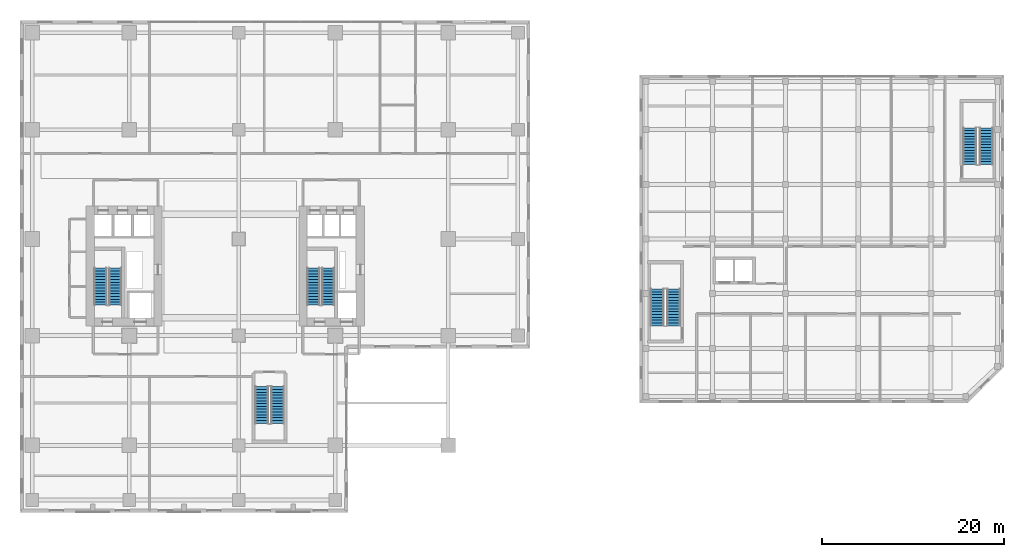
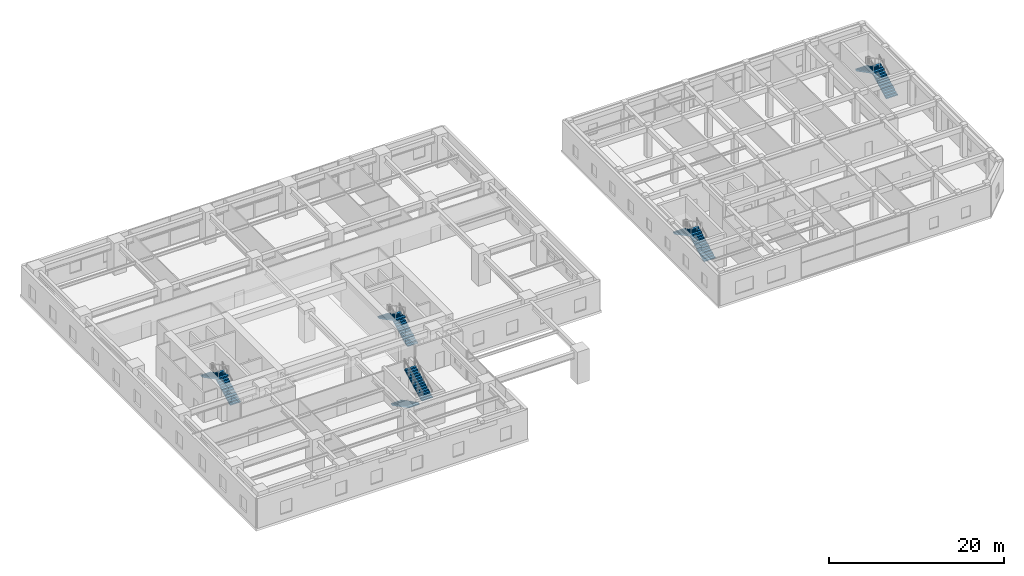
# One storey, part 23 of 28: 10 stair flights, 5 elements without a shape of their own.
"""IFC4 building model written with IfcOpenShell, lengths in metres."""

from ifc_helpers import new_model, si_unit, direction, frame, origin, place, context, subcontext, project, spatial, polyline, outline, extrude, source, transform, mapped, material, type_object, element, aggregate, save


model = new_model("IFC4")

# Units and contexts
model_context = context("Model", 3, precision=1e-05, world=origin(), true_north=direction((0.0, 1.0)))
body_context = subcontext(model_context, "Body", "Model", "MODEL_VIEW")
ifc_project = project(units=[si_unit("LENGTHUNIT", "METRE"), si_unit("AREAUNIT", "SQUARE_METRE"), si_unit("VOLUMEUNIT", "CUBIC_METRE"), si_unit("PLANEANGLEUNIT", "RADIAN"), si_unit("MASSUNIT", "GRAM", prefix="KILO")], contexts=[model_context])

# Site, building, storey
site_placement = place(None, origin())
site = spatial("IfcSite", under=ifc_project, at=site_placement, CompositionType="ELEMENT")
building_placement = place(site_placement, origin())
building = spatial("IfcBuilding", under=site, at=building_placement, Name="Khoralis Quay Care Tower", CompositionType="ELEMENT")
storey_placement = place(building_placement, frame((0.0, 0.0, 9.0)))
storey = spatial("IfcBuildingStorey", under=building, at=storey_placement, Name="L02", CompositionType="ELEMENT", Elevation=9.0)

# Stair, stair flights
ifc_material = material(Name="Precast concrete C45/55", Category="concrete")
stair_type_1 = type_object("IfcStairType", Name="ST-TWR-DOGLEG-1400", PredefinedType="HALF_TURN_STAIR", material=ifc_material)
stair_1_placement = place(storey_placement, origin())
stair_1 = element("IfcStair", 1, at=stair_1_placement, inside=storey, type_object=stair_type_1, Name="L02 West Core Exit Stair ST-T1", PredefinedType="HALF_TURN_STAIR")
stair_flight_type_1 = type_object("IfcStairFlightType", Name="SF-TWR-1400", PredefinedType="STRAIGHT", material=ifc_material)
shared_shape_1 = source(origin(), body_context, "Body", "SweptSolid", [
    extrude(outline(polyline([(0.0, 0.0), (0.0, 0.16064453125), (0.31005859375, 0.16064453125), (0.31005859375, 0.321533203125), (0.6201171875, 0.321533203125), (0.6201171875, 0.482177734375), (0.929931640625, 0.482177734375), (0.929931640625, 0.642822265625), (1.239990234375, 0.642822265625), (1.239990234375, 0.803466796875), (1.550048828125, 0.803466796875), (1.550048828125, 0.96435546875), (1.860107421875, 0.96435546875), (1.860107421875, 1.125), (2.169921875, 1.125), (2.169921875, 1.28564453125), (2.47998046875, 1.28564453125), (2.47998046875, 1.446533203125), (2.7900390625, 1.446533203125), (2.7900390625, 1.607177734375), (3.10009765625, 1.607177734375), (3.10009765625, 1.767822265625), (3.409912109375, 1.767822265625), (3.409912109375, 1.928466796875), (3.719970703125, 1.928466796875), (3.719970703125, 2.08935546875), (4.030029296875, 2.08935546875), (4.030029296875, 2.25), (4.030029296875, 1.92041015625), (0.32568359375, 0.0), (0.0, 0.0)])), frame((0.0, 0.68994140625, 0.0), z_axis=(0.0, -1.0, 0.0), x_axis=(1.0, 0.0, 0.0)), (0.0, 0.0, 1.0), 1.3798828125),
])
stair_flight_1_placement = place(storey_placement, frame((10.4599609375, 16.77001953125, 0.0), z_axis=(0.0, 0.0, 1.0), x_axis=(0.0, 1.0, 0.0)))
stair_flight_1 = element("IfcStairFlight", 2, at=stair_flight_1_placement, type_object=stair_flight_type_1, Name="ST-T1 flight 1", NumberOfRisers=14, NumberOfTreads=13, PredefinedType="STRAIGHT", RiserHeight=0.160714286, TreadLength=0.31, context=body_context, shape_type="MappedRepresentation", body=[
    mapped(shared_shape_1, transform((0.0, 0.0, 0.0), scale=1.0)),
])
stair_flight_2_placement = place(storey_placement, frame((8.840087890625, 20.800048828125, 2.25), z_axis=(0.0, 0.0, 1.0), x_axis=(0.0, -1.0, 0.0)))
stair_flight_2 = element("IfcStairFlight", 3, at=stair_flight_2_placement, type_object=stair_flight_type_1, Name="ST-T1 flight 2", NumberOfRisers=14, NumberOfTreads=13, PredefinedType="STRAIGHT", RiserHeight=0.160714286, TreadLength=0.31, context=body_context, shape_type="MappedRepresentation", body=[
    mapped(shared_shape_1, transform((0.0, 0.0, 0.0), scale=1.0)),
])
aggregate(stair_1, [stair_flight_1, stair_flight_2])

stair_2_placement = place(storey_placement, origin())
stair_2 = element("IfcStair", 4, at=stair_2_placement, inside=storey, type_object=stair_type_1, Name="L02 East Core Exit Stair ST-T2", PredefinedType="HALF_TURN_STAIR")
stair_flight_3_placement = place(storey_placement, frame((33.830078125, 16.77001953125, 0.0), z_axis=(0.0, 0.0, 1.0), x_axis=(0.0, 1.0, 0.0)))
stair_flight_3 = element("IfcStairFlight", 5, at=stair_flight_3_placement, type_object=stair_flight_type_1, Name="ST-T2 flight 1", NumberOfRisers=14, NumberOfTreads=13, PredefinedType="STRAIGHT", RiserHeight=0.160714286, TreadLength=0.31, context=body_context, shape_type="MappedRepresentation", body=[
    mapped(shared_shape_1, transform((0.0, 0.0, 0.0), scale=1.0)),
])
stair_flight_4_placement = place(storey_placement, frame((32.2099609375, 20.800048828125, 2.25), z_axis=(0.0, 0.0, 1.0), x_axis=(0.0, -1.0, 0.0)))
stair_flight_4 = element("IfcStairFlight", 6, at=stair_flight_4_placement, type_object=stair_flight_type_1, Name="ST-T2 flight 2", NumberOfRisers=14, NumberOfTreads=13, PredefinedType="STRAIGHT", RiserHeight=0.160714286, TreadLength=0.31, context=body_context, shape_type="MappedRepresentation", body=[
    mapped(shared_shape_1, transform((0.0, 0.0, 0.0), scale=1.0)),
])
aggregate(stair_2, [stair_flight_3, stair_flight_4])

stair_type_2 = type_object("IfcStairType", Name="ST-POD-DOGLEG-1500", PredefinedType="HALF_TURN_STAIR", material=ifc_material)
stair_3_placement = place(storey_placement, origin())
stair_3 = element("IfcStair", 7, at=stair_3_placement, inside=storey, type_object=stair_type_2, Name="L02 Podium Clinical Stair ST-P1", PredefinedType="HALF_TURN_STAIR")
stair_flight_type_2 = type_object("IfcStairFlightType", Name="SF-POD-1500", PredefinedType="STRAIGHT", material=ifc_material)
shared_shape_2 = source(origin(), body_context, "Body", "SweptSolid", [
    extrude(outline(polyline([(0.0, 0.0), (0.0, 0.16064453125), (0.31005859375, 0.16064453125), (0.31005859375, 0.321533203125), (0.6201171875, 0.321533203125), (0.6201171875, 0.482177734375), (0.929931640625, 0.482177734375), (0.929931640625, 0.642822265625), (1.239990234375, 0.642822265625), (1.239990234375, 0.803466796875), (1.550048828125, 0.803466796875), (1.550048828125, 0.96435546875), (1.860107421875, 0.96435546875), (1.860107421875, 1.125), (2.169921875, 1.125), (2.169921875, 1.28564453125), (2.47998046875, 1.28564453125), (2.47998046875, 1.446533203125), (2.7900390625, 1.446533203125), (2.7900390625, 1.607177734375), (3.10009765625, 1.607177734375), (3.10009765625, 1.767822265625), (3.409912109375, 1.767822265625), (3.409912109375, 1.928466796875), (3.719970703125, 1.928466796875), (3.719970703125, 2.08935546875), (4.030029296875, 2.08935546875), (4.030029296875, 2.25), (4.030029296875, 1.92041015625), (0.32568359375, 0.0), (0.0, 0.0)])), frame((0.0, 0.72509765625, 0.0), z_axis=(0.0, -1.0, 0.0), x_axis=(1.0, 0.0, 0.0)), (0.0, 0.0, 1.0), 1.449951171875),
])
stair_flight_5_placement = place(storey_placement, frame((26.52490234375, 7.800048828125, 0.0), z_axis=(0.0, 0.0, 1.0), x_axis=(0.0, -1.0, 0.0)))
stair_flight_5 = element("IfcStairFlight", 8, at=stair_flight_5_placement, type_object=stair_flight_type_2, Name="ST-P1 flight 1", NumberOfRisers=14, NumberOfTreads=13, PredefinedType="STRAIGHT", RiserHeight=0.160714286, TreadLength=0.31, context=body_context, shape_type="MappedRepresentation", body=[
    mapped(shared_shape_2, transform((0.0, 0.0, 0.0), scale=1.0)),
])
stair_flight_6_placement = place(storey_placement, frame((28.27490234375, 3.77001953125, 2.25), z_axis=(0.0, 0.0, 1.0), x_axis=(0.0, 1.0, 0.0)))
stair_flight_6 = element("IfcStairFlight", 9, at=stair_flight_6_placement, type_object=stair_flight_type_2, Name="ST-P1 flight 2", NumberOfRisers=14, NumberOfTreads=13, PredefinedType="STRAIGHT", RiserHeight=0.160714286, TreadLength=0.31, context=body_context, shape_type="MappedRepresentation", body=[
    mapped(shared_shape_2, transform((0.0, 0.0, 0.0), scale=1.0)),
])
aggregate(stair_3, [stair_flight_5, stair_flight_6])

stair_type_3 = type_object("IfcStairType", Name="ST-SCH-DOGLEG-1550", PredefinedType="HALF_TURN_STAIR", material=ifc_material)
stair_4_placement = place(storey_placement, origin())
stair_4 = element("IfcStair", 10, at=stair_4_placement, inside=storey, type_object=stair_type_3, Name="L02 Companion School West Exit Stair ST-S1", PredefinedType="HALF_TURN_STAIR")
stair_flight_type_3 = type_object("IfcStairFlightType", Name="SF-SCH-1550", PredefinedType="STRAIGHT", material=ifc_material)
shared_shape_3 = source(origin(), body_context, "Body", "SweptSolid", [
    extrude(outline(polyline([(0.0, 0.0), (0.0, 0.16064453125), (0.31005859375, 0.16064453125), (0.31005859375, 0.321533203125), (0.6201171875, 0.321533203125), (0.6201171875, 0.482177734375), (0.929931640625, 0.482177734375), (0.929931640625, 0.642822265625), (1.239990234375, 0.642822265625), (1.239990234375, 0.803466796875), (1.550048828125, 0.803466796875), (1.550048828125, 0.96435546875), (1.860107421875, 0.96435546875), (1.860107421875, 1.125), (2.169921875, 1.125), (2.169921875, 1.28564453125), (2.47998046875, 1.28564453125), (2.47998046875, 1.446533203125), (2.7900390625, 1.446533203125), (2.7900390625, 1.607177734375), (3.10009765625, 1.607177734375), (3.10009765625, 1.767822265625), (3.409912109375, 1.767822265625), (3.409912109375, 1.928466796875), (3.719970703125, 1.928466796875), (3.719970703125, 2.08935546875), (4.030029296875, 2.08935546875), (4.030029296875, 2.25), (4.030029296875, 1.92041015625), (0.32568359375, 0.0), (0.0, 0.0)])), frame((0.0, 0.75, 0.0), z_axis=(0.0, -1.0, 0.0), x_axis=(1.0, 0.0, 0.0)), (0.0, 0.0, 1.0), 1.5),
])
stair_flight_7_placement = place(storey_placement, frame((71.75, 14.47998046875, 0.0), z_axis=(0.0, 0.0, 1.0), x_axis=(0.0, 1.0, 0.0)))
stair_flight_7 = element("IfcStairFlight", 11, at=stair_flight_7_placement, type_object=stair_flight_type_3, Name="ST-S1 flight 1", NumberOfRisers=14, NumberOfTreads=13, PredefinedType="STRAIGHT", RiserHeight=0.160714286, TreadLength=0.31, context=body_context, shape_type="MappedRepresentation", body=[
    mapped(shared_shape_3, transform((0.0, 0.0, 0.0), scale=1.0)),
])
stair_flight_8_placement = place(storey_placement, frame((69.949951171875, 18.510009765625, 2.25), z_axis=(0.0, 0.0, 1.0), x_axis=(0.0, -1.0, 0.0)))
stair_flight_8 = element("IfcStairFlight", 12, at=stair_flight_8_placement, type_object=stair_flight_type_3, Name="ST-S1 flight 2", NumberOfRisers=14, NumberOfTreads=13, PredefinedType="STRAIGHT", RiserHeight=0.160714286, TreadLength=0.31, context=body_context, shape_type="MappedRepresentation", body=[
    mapped(shared_shape_3, transform((0.0, 0.0, 0.0), scale=1.0)),
])
aggregate(stair_4, [stair_flight_7, stair_flight_8])

stair_5_placement = place(storey_placement, origin())
stair_5 = element("IfcStair", 13, at=stair_5_placement, inside=storey, type_object=stair_type_3, Name="L02 Companion School East Exit Stair ST-S2", PredefinedType="HALF_TURN_STAIR")
stair_flight_9_placement = place(storey_placement, frame((106.050048828125, 32.179931640625, 0.0), z_axis=(0.0, 0.0, 1.0), x_axis=(0.0, 1.0, 0.0)))
stair_flight_9 = element("IfcStairFlight", 14, at=stair_flight_9_placement, type_object=stair_flight_type_3, Name="ST-S2 flight 1", NumberOfRisers=14, NumberOfTreads=13, PredefinedType="STRAIGHT", RiserHeight=0.160714286, TreadLength=0.31, context=body_context, shape_type="MappedRepresentation", body=[
    mapped(shared_shape_3, transform((0.0, 0.0, 0.0), scale=1.0)),
])
stair_flight_10_placement = place(storey_placement, frame((104.25, 36.2099609375, 2.25), z_axis=(0.0, 0.0, 1.0), x_axis=(0.0, -1.0, 0.0)))
stair_flight_10 = element("IfcStairFlight", 15, at=stair_flight_10_placement, type_object=stair_flight_type_3, Name="ST-S2 flight 2", NumberOfRisers=14, NumberOfTreads=13, PredefinedType="STRAIGHT", RiserHeight=0.160714286, TreadLength=0.31, context=body_context, shape_type="MappedRepresentation", body=[
    mapped(shared_shape_3, transform((0.0, 0.0, 0.0), scale=1.0)),
])
aggregate(stair_5, [stair_flight_9, stair_flight_10])

save(model, "model.ifc")
